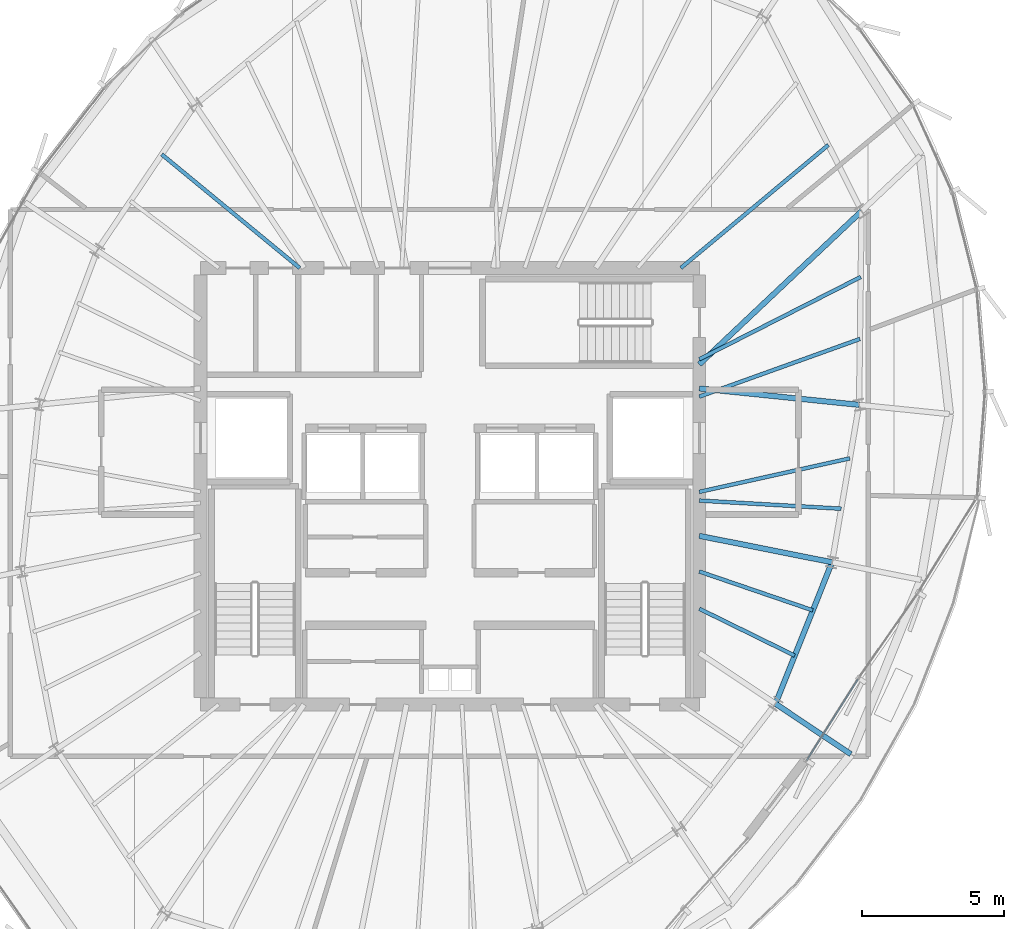
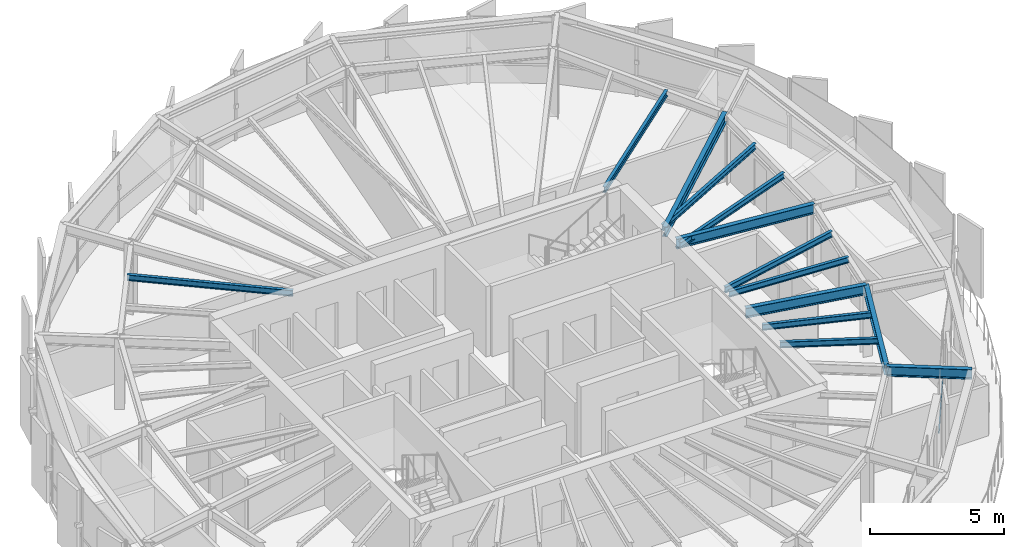
# One storey, part 13 of 30: 13 beams, 1 member, 1 element without a shape of its own.
"""IFC4 building model written with IfcOpenShell, lengths in metres."""

from ifc_helpers import new_model, si_unit, direction, frame, origin, origin_2d, place, context, subcontext, project, spatial, hollow_rectangle, i_section, extrude, source, transform, mapped, material, layer, layer_set, material_profile, profile_set, type_object, element, aggregate, save


model = new_model("IFC4")

# Units and contexts
model_context = context("Model", 3, precision=1e-05, world=origin(), true_north=direction((0.0, 1.0)))
body_context = subcontext(model_context, "Body", "Model", "MODEL_VIEW")
ifc_project = project(units=[si_unit("LENGTHUNIT", "METRE"), si_unit("AREAUNIT", "SQUARE_METRE"), si_unit("VOLUMEUNIT", "CUBIC_METRE"), si_unit("PLANEANGLEUNIT", "RADIAN"), si_unit("MASSUNIT", "GRAM", prefix="KILO"), si_unit("THERMODYNAMICTEMPERATUREUNIT", "KELVIN")], contexts=[model_context])

# Site, building, storey
site_placement = place(None, origin())
site = spatial("IfcSite", under=ifc_project, at=site_placement, CompositionType="ELEMENT")
building_placement = place(site_placement, origin())
building = spatial("IfcBuilding", under=site, at=building_placement, Name="Kethvar Cultural Tower", CompositionType="ELEMENT")
storey_placement = place(building_placement, frame((0.0, 0.0, 293.949951171875)))
storey = spatial("IfcBuildingStorey", under=building, at=storey_placement, Name="L78", CompositionType="ELEMENT", Elevation=293.949951171875)

# Beams
ifc_material_1 = material(Name="Steel S355J2", Category="steel")
ifc_material_profile_1 = material_profile(ifc_material_1, i_section(OverallWidth=0.18994140625, OverallDepth=0.449951171875, WebThickness=0.009521484375, FlangeThickness=0.0146484375, FilletRadius=0.02099609375, at=origin_2d()), Name="Steel S355J2 — IPE450")
ifc_profile_set_1 = profile_set([ifc_material_profile_1], Name="Steel S355J2 — IPE450")
beam_type_1 = type_object("IfcBeamType", Name="BM-IPE450", PredefinedType="BEAM", material=ifc_profile_set_1)
shared_shape_1 = source(origin(), body_context, "Body", "SweptSolid", [
    extrude(i_section(OverallWidth=0.18994140625, OverallDepth=0.449951171875, WebThickness=0.009521484375, FlangeThickness=0.0146484375, FilletRadius=0.02099609375, at=origin_2d()), origin(), (0.0, 0.0, 1.0), 5.66650390625),
])
beam_1_placement = place(storey_placement, frame((55.60009765625, 31.25, 2.983154296875), z_axis=(0.994777513459, -0.102067128476, 0.0), x_axis=(0.102067128476, 0.994777513459, 0.0)))
element("IfcBeam", 1, at=beam_1_placement, inside=storey, type_object=beam_type_1, Name="L78 Primary Radial Beam RB-01", PredefinedType="BEAM", context=body_context, shape_type="MappedRepresentation", body=[
    mapped(shared_shape_1, transform((0.0, 0.0, 0.0), scale=1.0)),
])
shared_shape_2 = source(origin(), body_context, "Body", "SweptSolid", [
    extrude(i_section(OverallWidth=0.18994140625, OverallDepth=0.449951171875, WebThickness=0.009521484375, FlangeThickness=0.0146484375, FilletRadius=0.02099609375, at=origin_2d()), origin(), (0.0, 0.0, 1.0), 3.199951171875),
])
beam_2_placement = place(storey_placement, frame((58.287109375, 20.12451171875, 2.983154296875), z_axis=(0.831462943996, -0.555580212716, 0.0), x_axis=(0.555580212716, 0.831462943996, 0.0)))
element("IfcBeam", 2, at=beam_2_placement, inside=storey, type_object=beam_type_1, Name="L78 Perimeter Cantilever Beam RC-15", PredefinedType="BEAM", context=body_context, shape_type="MappedRepresentation", body=[
    mapped(shared_shape_2, transform((0.0, 0.0, 0.0), scale=1.0)),
])
shared_shape_3 = source(origin(), body_context, "Body", "SweptSolid", [
    extrude(i_section(OverallWidth=0.18994140625, OverallDepth=0.449951171875, WebThickness=0.009521484375, FlangeThickness=0.0146484375, FilletRadius=0.02099609375, at=origin_2d()), origin(), (0.0, 0.0, 1.0), 7.874267578125),
])
beam_3_placement = place(storey_placement, frame((55.60009765625, 32.10009765625, 2.983154296875), z_axis=(0.727123202456, 0.686506990823, 0.0), x_axis=(-0.686506990823, 0.727123202456, 0.0)))
element("IfcBeam", 3, at=beam_3_placement, inside=storey, type_object=beam_type_1, Name="L78 Primary Radial Beam RB-02", PredefinedType="BEAM", context=body_context, shape_type="MappedRepresentation", body=[
    mapped(shared_shape_3, transform((0.0, 0.0, 0.0), scale=1.0)),
])
shared_shape_4 = source(origin(), body_context, "Body", "SweptSolid", [
    extrude(i_section(OverallWidth=0.18994140625, OverallDepth=0.449951171875, WebThickness=0.009521484375, FlangeThickness=0.0146484375, FilletRadius=0.02099609375, at=origin_2d()), origin(), (0.0, 0.0, 1.0), 4.775390625),
])
beam_4_placement = place(storey_placement, frame((55.60009765625, 26.049560546875, 2.983154296875), z_axis=(0.980784643133, -0.195093525761, 0.0), x_axis=(0.195093525761, 0.980784643133, 0.0)))
element("IfcBeam", 4, at=beam_4_placement, inside=storey, type_object=beam_type_1, Name="L78 Primary Radial Beam RB-16", PredefinedType="BEAM", context=body_context, shape_type="MappedRepresentation", body=[
    mapped(shared_shape_4, transform((0.0, 0.0, 0.0), scale=1.0)),
])
ifc_material_profile_2 = material_profile(ifc_material_1, i_section(OverallWidth=0.135009765625, OverallDepth=0.27001953125, WebThickness=0.006591796875, FlangeThickness=0.01025390625, FilletRadius=0.014892578125, at=origin_2d()), Name="Steel S355J2 — IPE270")
ifc_profile_set_2 = profile_set([ifc_material_profile_2], Name="Steel S355J2 — IPE270")
beam_type_2 = type_object("IfcBeamType", Name="BM-J270", PredefinedType="JOIST", material=ifc_profile_set_2)
shared_shape_5 = source(origin(), body_context, "Body", "SweptSolid", [
    extrude(i_section(OverallWidth=0.135009765625, OverallDepth=0.27001953125, WebThickness=0.006591796875, FlangeThickness=0.01025390625, FilletRadius=0.014892578125, at=origin_2d()), origin(), (0.0, 0.0, 1.0), 6.021240234375),
])
beam_5_placement = place(storey_placement, frame((55.60009765625, 30.960205078125, 3.072998046875), z_axis=(0.94114970072, 0.337990001086, 0.0), x_axis=(-0.337990001086, 0.94114970072, 0.0)))
element("IfcBeam", 5, at=beam_5_placement, inside=storey, type_object=beam_type_2, Name="L78 Composite Floor Joist J-01A", PredefinedType="JOIST", context=body_context, shape_type="MappedRepresentation", body=[
    mapped(shared_shape_5, transform((0.0, 0.0, 0.0), scale=1.0)),
])
shared_shape_6 = source(origin(), body_context, "Body", "SweptSolid", [
    extrude(i_section(OverallWidth=0.135009765625, OverallDepth=0.27001953125, WebThickness=0.006591796875, FlangeThickness=0.01025390625, FilletRadius=0.014892578125, at=origin_2d()), origin(), (0.0, 0.0, 1.0), 6.3916015625),
])
beam_6_placement = place(storey_placement, frame((55.60009765625, 32.281494140625, 3.072998046875), z_axis=(0.891094874615, 0.453817060538, 0.0), x_axis=(-0.453817060538, 0.891094874615, 0.0)))
element("IfcBeam", 6, at=beam_6_placement, inside=storey, type_object=beam_type_2, Name="L78 Composite Floor Joist J-01B", PredefinedType="JOIST", context=body_context, shape_type="MappedRepresentation", body=[
    mapped(shared_shape_6, transform((0.0, 0.0, 0.0), scale=1.0)),
])
shared_shape_7 = source(origin(), body_context, "Body", "SweptSolid", [
    extrude(i_section(OverallWidth=0.135009765625, OverallDepth=0.27001953125, WebThickness=0.006591796875, FlangeThickness=0.01025390625, FilletRadius=0.014892578125, at=origin_2d()), origin(), (0.0, 0.0, 1.0), 6.776123046875),
])
beam_7_placement = place(storey_placement, frame((54.949951171875, 35.5, 3.072998046875), z_axis=(0.767801747857, 0.6406875026, 0.0), x_axis=(-0.6406875026, 0.767801747857, 0.0)))
element("IfcBeam", 7, at=beam_7_placement, inside=storey, type_object=beam_type_2, Name="L78 Composite Floor Joist J-02A", PredefinedType="JOIST", context=body_context, shape_type="MappedRepresentation", body=[
    mapped(shared_shape_7, transform((0.0, 0.0, 0.0), scale=1.0)),
])
shared_shape_8 = source(origin(), body_context, "Body", "SweptSolid", [
    extrude(i_section(OverallWidth=0.135009765625, OverallDepth=0.27001953125, WebThickness=0.006591796875, FlangeThickness=0.01025390625, FilletRadius=0.014892578125, at=origin_2d()), origin(), (0.0, 0.0, 1.0), 6.302978515625),
])
beam_8_placement = place(storey_placement, frame((41.5, 35.5, 3.072998046875), z_axis=(-0.771828477148, 0.635830796567, 0.0), x_axis=(-0.635830796567, -0.771828477148, 0.0)))
element("IfcBeam", 8, at=beam_8_placement, inside=storey, type_object=beam_type_2, Name="L78 Composite Floor Joist J-06A", PredefinedType="JOIST", context=body_context, shape_type="MappedRepresentation", body=[
    mapped(shared_shape_8, transform((0.0, 0.0, 0.0), scale=1.0)),
])
shared_shape_9 = source(origin(), body_context, "Body", "SweptSolid", [
    extrude(i_section(OverallWidth=0.18994140625, OverallDepth=0.449951171875, WebThickness=0.009521484375, FlangeThickness=0.0146484375, FilletRadius=0.02099609375, at=origin_2d()), origin(), (0.0, 0.0, 1.0), 5.377685546875),
])
beam_9_placement = place(storey_placement, frame((58.287109375, 20.12451171875, 2.983154296875), z_axis=(0.371265436914, 0.928526776864, 0.0), x_axis=(-0.928526776864, 0.371265436914, 0.0)))
element("IfcBeam", 9, at=beam_9_placement, inside=storey, type_object=beam_type_1, Name="L78 Column Ring Tie Beam CR-15", PredefinedType="BEAM", context=body_context, shape_type="MappedRepresentation", body=[
    mapped(shared_shape_9, transform((0.0, 0.0, 0.0), scale=1.0)),
])
shared_shape_10 = source(origin(), body_context, "Body", "SweptSolid", [
    extrude(i_section(OverallWidth=0.135009765625, OverallDepth=0.27001953125, WebThickness=0.006591796875, FlangeThickness=0.01025390625, FilletRadius=0.014892578125, at=origin_2d()), origin(), (0.0, 0.0, 1.0), 3.75),
])
beam_10_placement = place(storey_placement, frame((55.60009765625, 23.476318359375, 3.072998046875), z_axis=(0.8975046019, -0.441005090184, 0.0), x_axis=(0.441005090184, 0.8975046019, 0.0)))
element("IfcBeam", 10, at=beam_10_placement, inside=storey, type_object=beam_type_2, Name="L78 Composite Floor Joist J-15A", PredefinedType="JOIST", context=body_context, shape_type="MappedRepresentation", body=[
    mapped(shared_shape_10, transform((0.0, 0.0, 0.0), scale=1.0)),
])
shared_shape_11 = source(origin(), body_context, "Body", "SweptSolid", [
    extrude(i_section(OverallWidth=0.135009765625, OverallDepth=0.27001953125, WebThickness=0.006591796875, FlangeThickness=0.01025390625, FilletRadius=0.014892578125, at=origin_2d()), origin(), (0.0, 0.0, 1.0), 4.232421875),
])
beam_11_placement = place(storey_placement, frame((55.60009765625, 24.7900390625, 3.072998046875), z_axis=(0.946173747357, -0.323659141402, 0.0), x_axis=(0.323659141402, 0.946173747357, 0.0)))
element("IfcBeam", 11, at=beam_11_placement, inside=storey, type_object=beam_type_2, Name="L78 Composite Floor Joist J-15B", PredefinedType="JOIST", context=body_context, shape_type="MappedRepresentation", body=[
    mapped(shared_shape_11, transform((0.0, 0.0, 0.0), scale=1.0)),
])
shared_shape_12 = source(origin(), body_context, "Body", "SweptSolid", [
    extrude(i_section(OverallWidth=0.135009765625, OverallDepth=0.27001953125, WebThickness=0.006591796875, FlangeThickness=0.01025390625, FilletRadius=0.014892578125, at=origin_2d()), origin(), (0.0, 0.0, 1.0), 5.01611328125),
])
beam_12_placement = place(storey_placement, frame((55.60009765625, 27.294189453125, 3.072998046875), z_axis=(0.998352190078, -0.057383835418, 0.0), x_axis=(0.057383835418, 0.998352190078, 0.0)))
element("IfcBeam", 12, at=beam_12_placement, inside=storey, type_object=beam_type_2, Name="L78 Composite Floor Joist J-16A", PredefinedType="JOIST", context=body_context, shape_type="MappedRepresentation", body=[
    mapped(shared_shape_12, transform((0.0, 0.0, 0.0), scale=1.0)),
])
shared_shape_13 = source(origin(), body_context, "Body", "SweptSolid", [
    extrude(i_section(OverallWidth=0.135009765625, OverallDepth=0.27001953125, WebThickness=0.006591796875, FlangeThickness=0.01025390625, FilletRadius=0.014892578125, at=origin_2d()), origin(), (0.0, 0.0, 1.0), 5.44287109375),
])
beam_13_placement = place(storey_placement, frame((55.60009765625, 27.60009765625, 3.072998046875), z_axis=(0.976080346759, 0.217410111702, 0.0), x_axis=(-0.217410111702, 0.976080346759, 0.0)))
element("IfcBeam", 13, at=beam_13_placement, inside=storey, type_object=beam_type_2, Name="L78 Composite Floor Joist J-16B", PredefinedType="JOIST", context=body_context, shape_type="MappedRepresentation", body=[
    mapped(shared_shape_13, transform((0.0, 0.0, 0.0), scale=1.0)),
])

# Curtain wall, member
ifc_material_2 = material(Name="Aluminium 6063-T6", Category="aluminium")
ifc_layer = layer(ifc_material_2, 0.179931640625, Name="Aluminium 6063-T6", Category="aluminium")
ifc_layer_set = layer_set([ifc_layer], Name="Aluminium 6063-T6 (180 mm)")
curtain_wall_type = type_object("IfcCurtainWallType", Name="CW-SYS-05-Z56", PredefinedType="NOTDEFINED", material=ifc_layer_set)
curtain_wall_placement = place(storey_placement, origin())
curtain_wall = element("IfcCurtainWall", 14, at=curtain_wall_placement, inside=storey, type_object=curtain_wall_type, Name="L78 Curtain Wall Run 06", PredefinedType="NOTDEFINED")
ifc_material_profile_3 = material_profile(ifc_material_2, hollow_rectangle(XDim=0.050048828125, YDim=0.10009765625, WallThickness=0.00390625, at=origin_2d()), Name="Aluminium 6063-T6 — RHS100x50x4")
ifc_profile_set_3 = profile_set([ifc_material_profile_3], Name="Aluminium 6063-T6 — RHS100x50x4")
member_type = type_object("IfcMemberType", Name="CW-SYS-05-Z56-TRN", PredefinedType="USERDEFINED", material=ifc_profile_set_3)
shared_shape_14 = source(origin(), body_context, "Body", "SweptSolid", [
    extrude(hollow_rectangle(XDim=0.050048828125, YDim=0.10009765625, WallThickness=0.00390625, at=origin_2d()), origin(), (0.0, 0.0, 1.0), 3.3935546875),
])
member_placement = place(storey_placement, frame((59.388916015625, 18.12451171875, 0.949951171875), z_axis=(0.534247402618, 0.845328168699, 0.0), x_axis=(-0.845328168699, 0.534247402618, 0.0)))
member = element("IfcMember", 15, at=member_placement, type_object=member_type, Name="CW-L78-R06 Transom 1", ObjectType="TRANSOM", PredefinedType="USERDEFINED", context=body_context, shape_type="MappedRepresentation", body=[
    mapped(shared_shape_14, transform((0.0, 0.0, 0.0), scale=1.0)),
])
aggregate(curtain_wall, [member])

save(model, "model.ifc")
